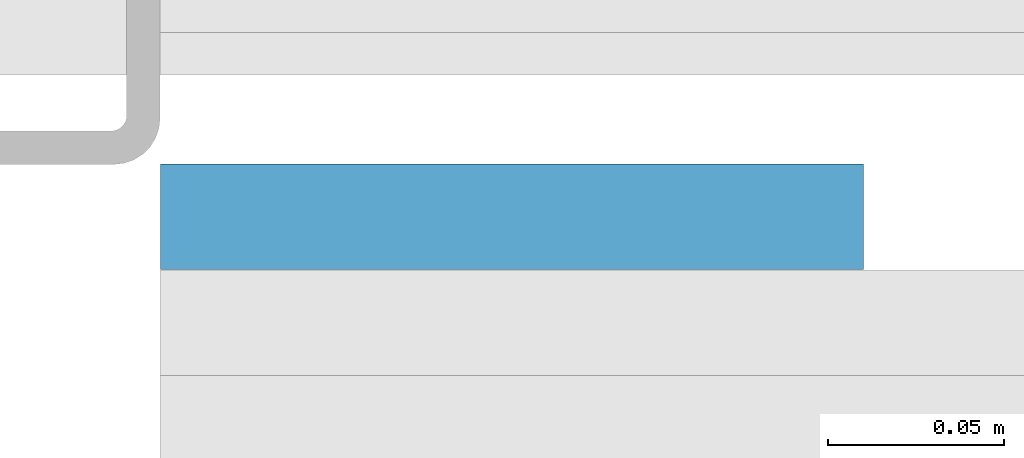
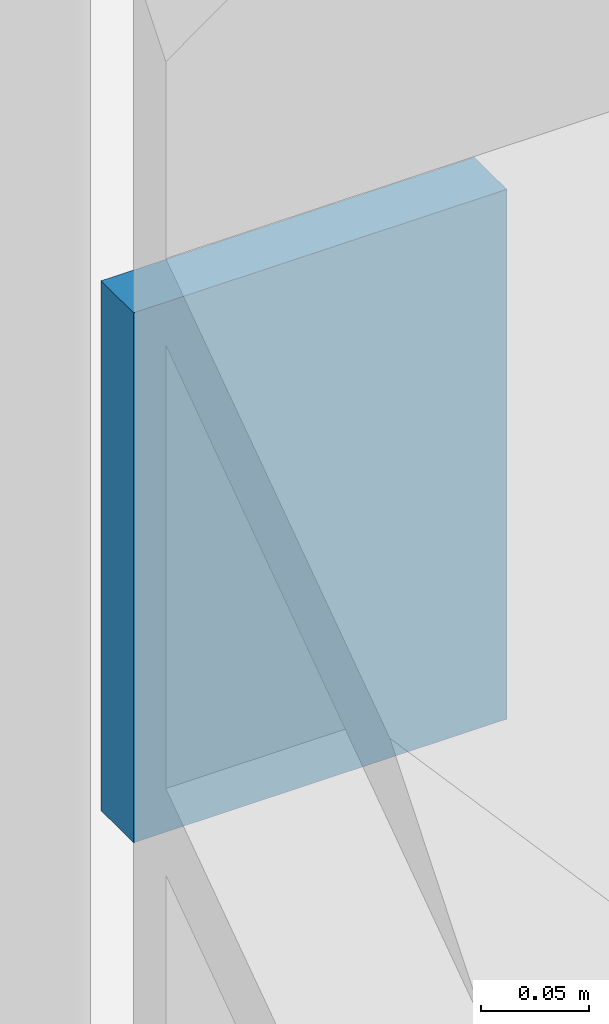
# One storey, part 18 of 27: 1 discrete accessory.
"""IFC4 building model written with IfcOpenShell, lengths in metres."""

from ifc_helpers import new_model, si_unit, direction, frame, origin, origin_2d, place, context, subcontext, project, spatial, rectangle, extrude, material, type_object, element, save


model = new_model("IFC4")

# Units and contexts
model_context = context("Model", 3, precision=1e-05, world=origin(), true_north=direction((0.0, 1.0)))
body_context = subcontext(model_context, "Body", "Model", "MODEL_VIEW")
ifc_project = project(units=[si_unit("LENGTHUNIT", "METRE"), si_unit("AREAUNIT", "SQUARE_METRE"), si_unit("VOLUMEUNIT", "CUBIC_METRE"), si_unit("PLANEANGLEUNIT", "RADIAN"), si_unit("MASSUNIT", "GRAM", prefix="KILO")], contexts=[model_context])

# Site, building, storey
site_placement = place(None, origin())
site = spatial("IfcSite", under=ifc_project, at=site_placement, CompositionType="ELEMENT")
building_placement = place(site_placement, origin())
building = spatial("IfcBuilding", under=site, at=building_placement, Name="Madar Terraces", CompositionType="ELEMENT")
storey_placement = place(building_placement, frame((0.0, 0.0, 314.300048828125)))
storey = spatial("IfcBuildingStorey", under=building, at=storey_placement, Name="L81", CompositionType="ELEMENT", Elevation=314.300048828125)

# Discrete accessory
ifc_material = material(Name="Steel, galvanised", Category="steel")
discrete_accessory_type = type_object("IfcDiscreteAccessoryType", Name="Louvre bank bracket", PredefinedType="BRACKET", material=ifc_material)
discrete_accessory_placement = place(storey_placement, frame((24.441650390625, 1.05810546875, 0.84912109375), z_axis=(0.0, 0.0, 1.0), x_axis=(1.0, 0.0, 0.0)))
element("IfcDiscreteAccessory", 1, at=discrete_accessory_placement, inside=storey, type_object=discrete_accessory_type, Name="Louvre bank bracket", PredefinedType="BRACKET", context=body_context, shape_type="SweptSolid", body=[
    extrude(rectangle(XDim=0.199951171875, YDim=0.030029296875, at=origin_2d()), origin(), (0.0, 0.0, 1.0), 0.300048828125),
])

save(model, "model.ifc")
